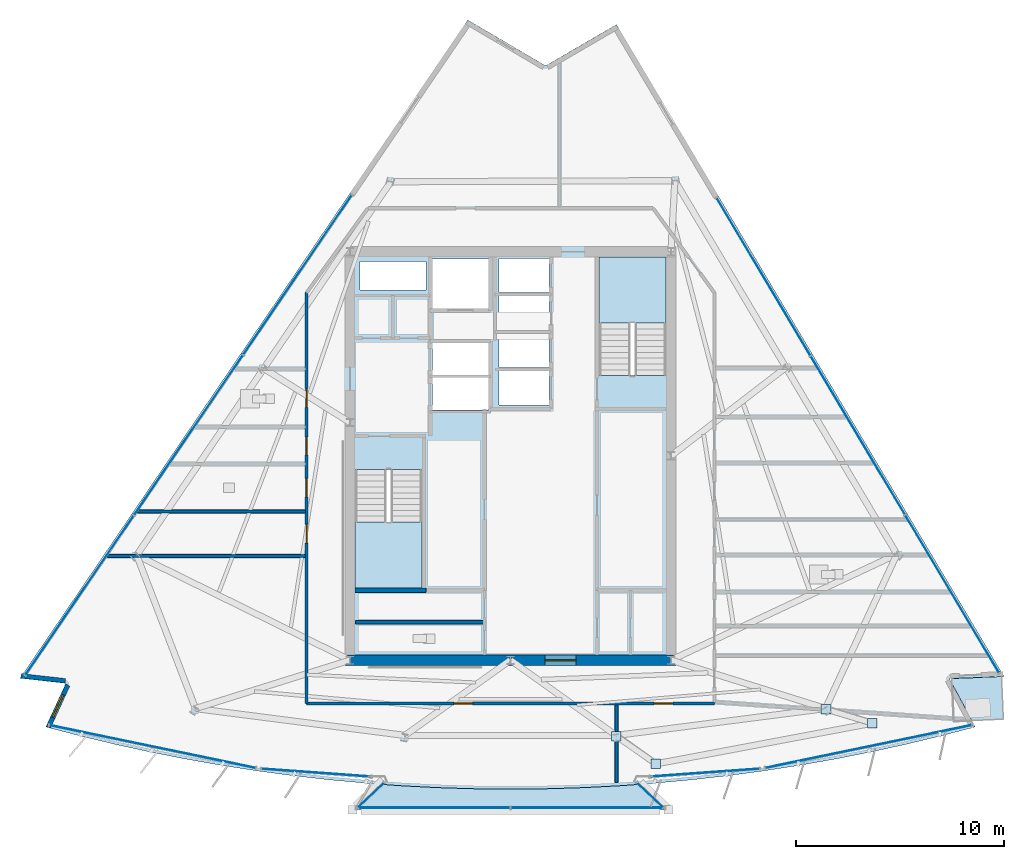
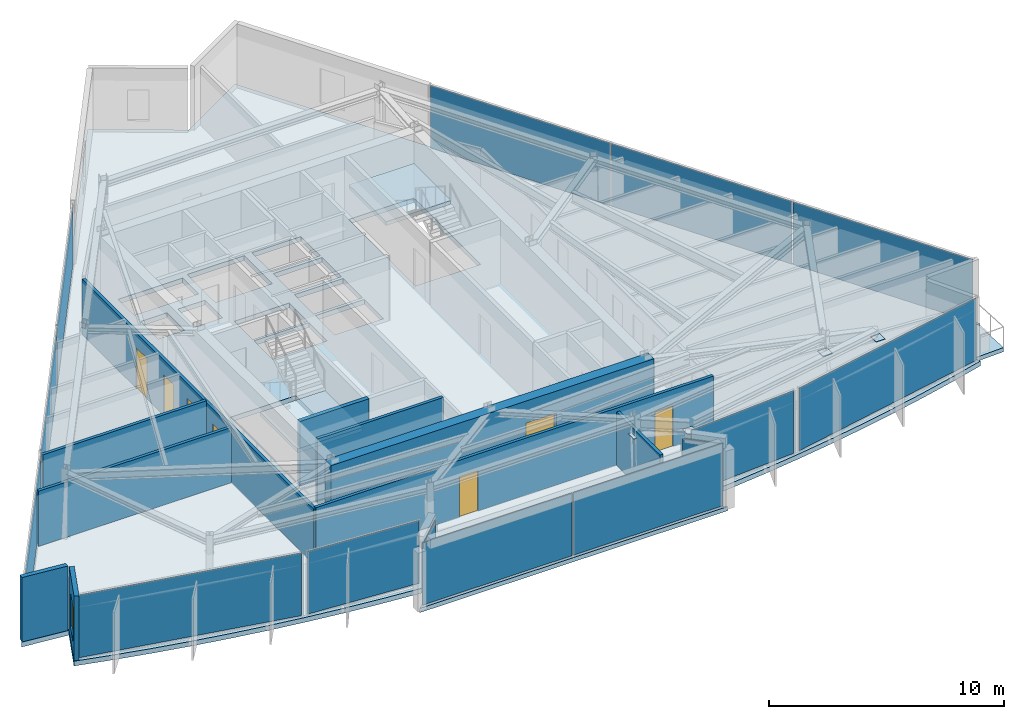
# One storey, part 6 of 13: 18 plates, 10 walls, 7 doors, 5 slabs, 1 window, 8 openings, 11 elements without a shape of their own.
"""IFC4 building model written with IfcOpenShell, lengths in metres."""

from ifc_helpers import new_model, si_unit, direction, frame, frame_2d, origin, origin_2d, place, context, subcontext, project, spatial, polyline, rectangle, outline, extrude, material, layer, layer_set, type_object, element, fill, aggregate, save


model = new_model("IFC4")

# Units and contexts
model_context = context("Model", 3, precision=1e-05, world=origin(), true_north=direction((0.0, 1.0)))
body_context = subcontext(model_context, "Body", "Model", "MODEL_VIEW")
ifc_project = project(units=[si_unit("LENGTHUNIT", "METRE"), si_unit("AREAUNIT", "SQUARE_METRE"), si_unit("VOLUMEUNIT", "CUBIC_METRE"), si_unit("PLANEANGLEUNIT", "RADIAN"), si_unit("MASSUNIT", "GRAM", prefix="KILO")], contexts=[model_context])

# Site, building, storey
site_placement = place(None, origin())
site = spatial("IfcSite", under=ifc_project, at=site_placement, CompositionType="ELEMENT")
building_placement = place(site_placement, origin())
building = spatial("IfcBuilding", under=site, at=building_placement, Name="Savorim Split Tower", CompositionType="ELEMENT")
storey_placement = place(building_placement, frame((0.0, 0.0, 286.800048828125)))
storey = spatial("IfcBuildingStorey", under=building, at=storey_placement, Name="L76", CompositionType="ELEMENT", Elevation=286.800048828125)

# Curtain wall, plate
ifc_material_1 = material(Name="Dark Ceramic-Fritted Insulated Glass", Category="glass")
curtain_wall_type_1 = type_object("IfcCurtainWallType", Name="CW-TWR-FRIT-B", PredefinedType="NOTDEFINED", material=ifc_material_1)
curtain_wall_1_placement = place(storey_placement, origin())
curtain_wall_1 = element("IfcCurtainWall", 1, at=curtain_wall_1_placement, inside=storey, type_object=curtain_wall_type_1, Name="L76 Curtain Wall CW-L76-SF1A", PredefinedType="NOTDEFINED")
ifc_layer_1 = layer(ifc_material_1, 0.02587890625)
ifc_layer_set_1 = layer_set([ifc_layer_1], Name="CWP-FRITB-26")
plate_type_1 = type_object("IfcPlateType", Name="CWP-FRITB-26", PredefinedType="CURTAIN_PANEL", material=ifc_layer_set_1)
plate_1_placement = place(storey_placement, frame((-17.175537109375, -13.545654296875, 0.050048828125), z_axis=(0.0, 0.0, 1.0), x_axis=(0.979134131762, -0.203215038861, 0.0)))
plate_1 = element("IfcPlate", 2, at=plate_1_placement, type_object=plate_type_1, Name="CW-03 panel 1.1", PredefinedType="CURTAIN_PANEL", context=body_context, shape_type="SweptSolid", body=[
    extrude(rectangle(XDim=10.08544921875, YDim=0.02587890625, at=origin_2d()), origin(), (0.0, 0.0, 1.0), 3.25),
])
aggregate(curtain_wall_1, [plate_1])

curtain_wall_2_placement = place(storey_placement, origin())
curtain_wall_2 = element("IfcCurtainWall", 3, at=curtain_wall_2_placement, inside=storey, type_object=curtain_wall_type_1, Name="L76 Curtain Wall CW-L76-SF2A", PredefinedType="NOTDEFINED")
plate_2_placement = place(storey_placement, frame((-9.3173828125, -14.80029296875, 0.050048828125), z_axis=(0.0, 0.0, 1.0), x_axis=(0.997437022598, -0.071549884359, 0.0)))
plate_2 = element("IfcPlate", 4, at=plate_2_placement, type_object=plate_type_1, Name="CW-03 panel 1.1", PredefinedType="CURTAIN_PANEL", context=body_context, shape_type="SweptSolid", body=[
    extrude(rectangle(XDim=5.25390625, YDim=0.02587890625, at=origin_2d()), origin(), (0.0, 0.0, 1.0), 3.25),
])
aggregate(curtain_wall_2, [plate_2])

curtain_wall_3_placement = place(storey_placement, origin())
curtain_wall_3 = element("IfcCurtainWall", 5, at=curtain_wall_3_placement, inside=storey, type_object=curtain_wall_type_1, Name="L76 Curtain Wall CW-L76-SF3A", PredefinedType="NOTDEFINED")
plate_3_placement = place(storey_placement, frame((9.3173828125, -14.80029296875, 0.050048828125), z_axis=(0.0, 0.0, 1.0), x_axis=(0.997437022598, 0.071549884359, 0.0)))
plate_3 = element("IfcPlate", 6, at=plate_3_placement, type_object=plate_type_1, Name="CW-03 panel 1.1", PredefinedType="CURTAIN_PANEL", context=body_context, shape_type="SweptSolid", body=[
    extrude(rectangle(XDim=5.25390625, YDim=0.02587890625, at=origin_2d()), origin(), (0.0, 0.0, 1.0), 3.25),
])
aggregate(curtain_wall_3, [plate_3])

curtain_wall_4_placement = place(storey_placement, origin())
curtain_wall_4 = element("IfcCurtainWall", 7, at=curtain_wall_4_placement, inside=storey, type_object=curtain_wall_type_1, Name="L76 Curtain Wall CW-L76-SF4A", PredefinedType="NOTDEFINED")
plate_4_placement = place(storey_placement, frame((17.175537109375, -13.545654296875, 0.050048828125), z_axis=(0.0, 0.0, 1.0), x_axis=(0.979134131762, 0.203215038861, 0.0)))
plate_4 = element("IfcPlate", 8, at=plate_4_placement, type_object=plate_type_1, Name="CW-03 panel 1.1", PredefinedType="CURTAIN_PANEL", context=body_context, shape_type="SweptSolid", body=[
    extrude(rectangle(XDim=10.08544921875, YDim=0.02587890625, at=origin_2d()), origin(), (0.0, 0.0, 1.0), 3.25),
])
aggregate(curtain_wall_4, [plate_4])

# Curtain wall, plates
curtain_wall_5_placement = place(storey_placement, origin())
curtain_wall_5 = element("IfcCurtainWall", 9, at=curtain_wall_5_placement, inside=storey, type_object=curtain_wall_type_1, Name="L76 Curtain Wall CW-L76-EAST", PredefinedType="NOTDEFINED")
plate_5_placement = place(storey_placement, frame((21.18701171875, -6.226318359375, 0.050048828125), z_axis=(0.0, 0.0, 1.0), x_axis=(-0.511091684727, 0.859526200766, 0.0)))
plate_5 = element("IfcPlate", 10, at=plate_5_placement, type_object=plate_type_1, Name="CW-03 panel 1.1", PredefinedType="CURTAIN_PANEL", context=body_context, shape_type="SweptSolid", body=[
    extrude(rectangle(XDim=8.775390625, YDim=0.02587890625, at=origin_2d()), origin(), (0.0, 0.0, 1.0), 3.25),
])
plate_6_placement = place(storey_placement, frame((16.66357421875, 1.380615234375, 0.050048828125), z_axis=(0.0, 0.0, 1.0), x_axis=(-0.511091684727, 0.859526200766, 0.0)))
plate_6 = element("IfcPlate", 11, at=plate_6_placement, type_object=plate_type_1, Name="CW-03 panel 2.1", PredefinedType="CURTAIN_PANEL", context=body_context, shape_type="SweptSolid", body=[
    extrude(rectangle(XDim=8.80517578125, YDim=0.02587890625, at=origin_2d()), origin(), (0.0, 0.0, 1.0), 3.25),
])
plate_7_placement = place(storey_placement, frame((12.140380859375, 8.98779296875, 0.050048828125), z_axis=(0.0, 0.0, 1.0), x_axis=(-0.511091684727, 0.859526200766, 0.0)))
plate_7 = element("IfcPlate", 12, at=plate_7_placement, type_object=plate_type_1, Name="CW-03 panel 3.1", PredefinedType="CURTAIN_PANEL", context=body_context, shape_type="SweptSolid", body=[
    extrude(rectangle(XDim=8.775390625, YDim=0.02587890625, at=origin_2d()), origin(), (0.0, 0.0, 1.0), 3.25),
])
aggregate(curtain_wall_5, [plate_5, plate_6, plate_7])

curtain_wall_6_placement = place(storey_placement, origin())
curtain_wall_6 = element("IfcCurtainWall", 13, at=curtain_wall_6_placement, inside=storey, type_object=curtain_wall_type_1, Name="L76 Curtain Wall CW-L76-WEST", PredefinedType="NOTDEFINED")
plate_8_placement = place(storey_placement, frame((-10.220703125, 9.082275390625, 0.050048828125), z_axis=(0.0, 0.0, 1.0), x_axis=(-0.562470084107, -0.826817636776, 0.0)))
plate_8 = element("IfcPlate", 14, at=plate_8_placement, type_object=plate_type_1, Name="CW-03 panel 1.1", PredefinedType="CURTAIN_PANEL", context=body_context, shape_type="SweptSolid", body=[
    extrude(rectangle(XDim=9.22265625, YDim=0.02587890625, at=origin_2d()), origin(), (0.0, 0.0, 1.0), 3.25),
])
plate_9_placement = place(storey_placement, frame((-15.450439453125, 1.394775390625, 0.050048828125), z_axis=(0.0, 0.0, 1.0), x_axis=(-0.562470084107, -0.826817636776, 0.0)))
plate_9 = element("IfcPlate", 15, at=plate_9_placement, type_object=plate_type_1, Name="CW-03 panel 2.1", PredefinedType="CURTAIN_PANEL", context=body_context, shape_type="SweptSolid", body=[
    extrude(rectangle(XDim=9.252685546875, YDim=0.02587890625, at=origin_2d()), origin(), (0.0, 0.0, 1.0), 3.25),
])
plate_10_placement = place(storey_placement, frame((-20.679931640625, -6.292724609375, 0.050048828125), z_axis=(0.0, 0.0, 1.0), x_axis=(-0.562470084107, -0.826817636776, 0.0)))
plate_10 = element("IfcPlate", 16, at=plate_10_placement, type_object=plate_type_1, Name="CW-03 panel 3.1", PredefinedType="CURTAIN_PANEL", context=body_context, shape_type="SweptSolid", body=[
    extrude(rectangle(XDim=9.22265625, YDim=0.02587890625, at=origin_2d()), origin(), (0.0, 0.0, 1.0), 3.25),
])
aggregate(curtain_wall_6, [plate_8, plate_9, plate_10])

curtain_wall_type_2 = type_object("IfcCurtainWallType", Name="CW-BAY-LOUNGE", PredefinedType="NOTDEFINED", material=ifc_material_1)
curtain_wall_7_placement = place(storey_placement, origin())
curtain_wall_7 = element("IfcCurtainWall", 17, at=curtain_wall_7_placement, inside=storey, type_object=curtain_wall_type_2, Name="L76 Curtain Wall CW-L76-BAYF", PredefinedType="NOTDEFINED")
ifc_material_2 = material(Name="Low-E Operable Double Glazing", Category="glass")
ifc_layer_2 = layer(ifc_material_2, 0.031982421875)
ifc_layer_set_2 = layer_set([ifc_layer_2], Name="CWP-POD-32")
plate_type_2 = type_object("IfcPlateType", Name="CWP-POD-32", PredefinedType="CURTAIN_PANEL", material=ifc_layer_set_2)
plate_11_placement = place(storey_placement, frame((-3.713134765625, -16.4794921875, 0.05517578125), z_axis=(0.0, 0.0, 1.0), x_axis=(1.0, 0.0, 0.0)))
plate_11 = element("IfcPlate", 18, at=plate_11_placement, type_object=plate_type_2, Name="CW-04 panel 1.1", PredefinedType="CURTAIN_PANEL", context=body_context, shape_type="SweptSolid", body=[
    extrude(rectangle(XDim=7.361083984375, YDim=0.031982421875, at=origin_2d()), origin(), (0.0, 0.0, 1.0), 3.239990234375),
])
plate_12_placement = place(storey_placement, frame((3.713134765625, -16.4794921875, 0.05517578125), z_axis=(0.0, 0.0, 1.0), x_axis=(1.0, 0.0, 0.0)))
plate_12 = element("IfcPlate", 19, at=plate_12_placement, type_object=plate_type_2, Name="CW-04 panel 2.1", PredefinedType="CURTAIN_PANEL", context=body_context, shape_type="SweptSolid", body=[
    extrude(rectangle(XDim=7.361083984375, YDim=0.031982421875, at=origin_2d()), origin(), (0.0, 0.0, 1.0), 3.239990234375),
])
aggregate(curtain_wall_7, [plate_11, plate_12])

# Curtain wall, plate
curtain_wall_8_placement = place(storey_placement, origin())
curtain_wall_8 = element("IfcCurtainWall", 20, at=curtain_wall_8_placement, inside=storey, type_object=curtain_wall_type_2, Name="L76 Curtain Wall CW-L76-BAYW", PredefinedType="NOTDEFINED")
plate_13_placement = place(storey_placement, frame((-6.695068359375, -15.880126953125, 0.05517578125), z_axis=(0.0, 0.0, 1.0), x_axis=(-0.725949819839, -0.68774767108, 0.0)))
plate_13 = element("IfcPlate", 21, at=plate_13_placement, type_object=plate_type_2, Name="CW-04 panel 1.1", PredefinedType="CURTAIN_PANEL", context=body_context, shape_type="SweptSolid", body=[
    extrude(rectangle(XDim=1.705078125, YDim=0.031982421875, at=origin_2d()), origin(), (0.0, 0.0, 1.0), 3.239990234375),
])
aggregate(curtain_wall_8, [plate_13])

curtain_wall_9_placement = place(storey_placement, origin())
curtain_wall_9 = element("IfcCurtainWall", 22, at=curtain_wall_9_placement, inside=storey, type_object=curtain_wall_type_2, Name="L76 Curtain Wall CW-L76-BAYE", PredefinedType="NOTDEFINED")
plate_14_placement = place(storey_placement, frame((6.695068359375, -15.880126953125, 0.05517578125), z_axis=(0.0, 0.0, 1.0), x_axis=(-0.725949819839, 0.68774767108, 0.0)))
plate_14 = element("IfcPlate", 23, at=plate_14_placement, type_object=plate_type_2, Name="CW-04 panel 1.1", PredefinedType="CURTAIN_PANEL", context=body_context, shape_type="SweptSolid", body=[
    extrude(rectangle(XDim=1.705078125, YDim=0.031982421875, at=origin_2d()), origin(), (0.0, 0.0, 1.0), 3.239990234375),
])
aggregate(curtain_wall_9, [plate_14])

# Plates
ifc_material_3 = material(Name="Steel S460", Category="steel")
ifc_layer_3 = layer(ifc_material_3, 0.02490234375)
ifc_layer_set_3 = layer_set([ifc_layer_3], Name="PLT-NODE-CN1")
plate_type_3 = type_object("IfcPlateType", Name="PLT-NODE-CN1", PredefinedType="SHEET", material=ifc_layer_set_3)
for number, where, z_axis, x_axis, name in (
    (24, (5.072509765625, -13.05224609375, 2.4375), (0.0, 0.0, 1.0), (1.0, 0.0, 0.0), "L76 Bay Strut Column Gusset Plate 1"),
    (25, (6.977783203125, -14.376220703125, 2.8076171875), (0.0, 0.0, 1.0), (1.0, 0.0, 0.0), "L76 Bay Strut Tip Gusset Plate 1"),
    (26, (15.134765625, -11.76025390625, 2.4375), (0.0, 0.0, 1.0), (1.0, 0.0, 0.0), "L76 Bay Strut Column Gusset Plate 2"),
    (27, (17.353759765625, -12.42431640625, 2.8076171875), (0.0, 0.0, 1.0), (1.0, 0.0, 0.0), "L76 Bay Strut Tip Gusset Plate 2"),
):
    element("IfcPlate", number, at=place(storey_placement, frame(where, z_axis=z_axis, x_axis=x_axis)), inside=storey, type_object=plate_type_3, Name=name, PredefinedType="SHEET", context=body_context, shape_type="SweptSolid", body=[
        extrude(rectangle(XDim=0.4599609375, YDim=0.4599609375, at=origin_2d()), origin(), (0.0, 0.0, 1.0), 0.02490234375),
    ])

# Slabs
ifc_material_4 = material(Name="Concrete C50/60", Category="concrete")
ifc_layer_4 = layer(ifc_material_4, 0.219970703125)
ifc_layer_set_4 = layer_set([ifc_layer_4], Name="SLB-BAL-220")
slab_type_1 = type_object("IfcSlabType", Name="SLB-BAL-220", PredefinedType="FLOOR", material=ifc_layer_set_4)
slab_1_placement = place(storey_placement, frame((0.0, 0.0, -0.219970703125)))
element("IfcSlab", 28, at=slab_1_placement, inside=storey, type_object=slab_type_1, Name="L76 Cantilevered Shared Kitchen Lounge Slab", PredefinedType="FLOOR", context=body_context, shape_type="SweptSolid", body=[
    extrude(outline(polyline([(6.28271484375, -15.351806640625), (5.20263671875, -15.42919921875), (3.4697265625, -15.51806640625), (1.735107421875, -15.5712890625), (0.0, -15.589111328125), (-1.735107421875, -15.5712890625), (-3.4697265625, -15.51806640625), (-5.20263671875, -15.42919921875), (-6.28271484375, -15.351806640625), (-7.57861328125, -16.57958984375), (7.57861328125, -16.57958984375), (6.28271484375, -15.351806640625)])), origin(), (0.0, 0.0, 1.0), 0.219970703125),
])
slab_2_placement = place(storey_placement, frame((0.0, 0.0, -0.219970703125)))
element("IfcSlab", 29, at=slab_2_placement, inside=storey, type_object=slab_type_1, Name="L76 Notched Corner Planted Tree Balcony Slab", PredefinedType="FLOOR", context=body_context, shape_type="SweptSolid", body=[
    extrude(outline(polyline([(23.555908203125, -10.18701171875), (21.170654296875, -10.28857421875), (21.1806640625, -10.5205078125), (22.132568359375, -12.29443359375), (23.64306640625, -12.230224609375), (23.555908203125, -10.18701171875)])), origin(), (0.0, 0.0, 1.0), 0.219970703125),
])

# Stair, slab
stair_type = type_object("IfcStairType", Name="STR-DOG-3600", PredefinedType="HALF_TURN_STAIR", material=ifc_material_4)
stair_1_placement = place(storey_placement, origin())
stair_1 = element("IfcStair", 30, at=stair_1_placement, inside=storey, type_object=stair_type, Name="L76 Core Protected Exit Stair ST-1", PredefinedType="HALF_TURN_STAIR")
ifc_layer_5 = layer(ifc_material_4, 0.199951171875)
ifc_layer_set_5 = layer_set([ifc_layer_5], Name="SLB-LND-200")
slab_type_2 = type_object("IfcSlabType", Name="SLB-LND-200", PredefinedType="LANDING", material=ifc_layer_set_5)
slab_3_placement = place(storey_placement, frame((0.0, 0.0, 1.599853515625)))
slab_3 = element("IfcSlab", 31, at=slab_3_placement, type_object=slab_type_2, Name="ST-1 landing 1", PredefinedType="LANDING", context=body_context, shape_type="SweptSolid", body=[
    extrude(outline(polyline([(-7.449951171875, -2.77001953125), (-7.449951171875, -5.949951171875), (-4.25, -5.949951171875), (-4.25, -2.77001953125), (-7.449951171875, -2.77001953125)])), origin(), (0.0, 0.0, 1.0), 0.2001953125),
])
aggregate(stair_1, [slab_3])

stair_2_placement = place(storey_placement, origin())
stair_2 = element("IfcStair", 32, at=stair_2_placement, inside=storey, type_object=stair_type, Name="L76 Core Protected Exit Stair ST-2", PredefinedType="HALF_TURN_STAIR")
slab_4_placement = place(storey_placement, frame((0.0, 0.0, 1.599853515625)))
slab_4 = element("IfcSlab", 33, at=slab_4_placement, type_object=slab_type_2, Name="ST-2 landing 1", PredefinedType="LANDING", context=body_context, shape_type="SweptSolid", body=[
    extrude(outline(polyline([(7.449951171875, 6.77001953125), (7.449951171875, 9.949951171875), (4.25, 9.949951171875), (4.25, 6.77001953125), (7.449951171875, 6.77001953125)])), origin(), (0.0, 0.0, 1.0), 0.2001953125),
])
aggregate(stair_2, [slab_4])

# Slab
ifc_layer_6 = layer(ifc_material_4, 0.25)
ifc_layer_set_6 = layer_set([ifc_layer_6], Name="SLB-TWR-250")
slab_type_3 = type_object("IfcSlabType", Name="SLB-TWR-250", PredefinedType="FLOOR", material=ifc_layer_set_6)
slab_5_placement = place(storey_placement, frame((0.0, 0.0, -0.25)))
element("IfcSlab", 34, at=slab_5_placement, inside=storey, type_object=slab_type_3, Name="L76 Structural Floor Slab", PredefinedType="FLOOR", context=body_context, shape_type="SweptSolid", body=[
    extrude(outline(polyline([(-22.2939453125, -12.60595703125), (-20.615234375, -13.045166015625), (-18.927734375, -13.44970703125), (-17.232421875, -13.819580078125), (-15.52978515625, -14.15478515625), (-13.820556640625, -14.455078125), (-12.105712890625, -14.720458984375), (-10.3857421875, -14.95068359375), (-8.66162109375, -15.1455078125), (-6.93359375, -15.30517578125), (-5.20263671875, -15.42919921875), (-3.4697265625, -15.51806640625), (-1.735107421875, -15.5712890625), (0.0, -15.589111328125), (1.735107421875, -15.5712890625), (3.4697265625, -15.51806640625), (5.20263671875, -15.42919921875), (6.93359375, -15.30517578125), (8.66162109375, -15.1455078125), (10.3857421875, -14.95068359375), (12.105712890625, -14.720458984375), (13.820556640625, -14.455078125), (15.52978515625, -14.15478515625), (17.232421875, -13.819580078125), (18.927734375, -13.44970703125), (20.615234375, -13.045166015625), (22.2939453125, -12.60595703125), (21.050537109375, -10.288818359375), (23.67578125, -10.177001953125), (5.08203125, 21.0927734375), (1.687744140625, 19.114501953125), (-2.047607421875, 21.31005859375), (-23.530517578125, -10.269287109375), (-21.333251953125, -10.514892578125), (-22.2939453125, -12.60595703125)]), holes=[polyline([(-7.449951171875, -0.25390625), (-7.449951171875, -5.949951171875), (-4.25, -5.949951171875), (-4.25, -0.25390625), (-7.449951171875, -0.25390625)]), polyline([(7.449951171875, 4.25390625), (7.449951171875, 9.949951171875), (4.25, 9.949951171875), (4.25, 4.25390625), (7.449951171875, 4.25390625)]), polyline([(-0.550048828125, 2.830078125), (1.85009765625, 2.830078125), (1.85009765625, 4.469970703125), (-0.550048828125, 4.469970703125), (-0.550048828125, 2.830078125)]), polyline([(-0.550048828125, 4.6298828125), (1.85009765625, 4.6298828125), (1.85009765625, 6.27001953125), (-0.550048828125, 6.27001953125), (-0.550048828125, 4.6298828125)]), polyline([(-0.550048828125, 6.429931640625), (1.85009765625, 6.429931640625), (1.85009765625, 8.070068359375), (-0.550048828125, 8.070068359375), (-0.550048828125, 6.429931640625)]), polyline([(-0.550048828125, 8.22998046875), (1.85009765625, 8.22998046875), (1.85009765625, 9.8701171875), (-0.550048828125, 9.8701171875), (-0.550048828125, 8.22998046875)]), polyline([(-3.75, 2.60009765625), (-1.050048828125, 2.60009765625), (-1.050048828125, 4.159912109375), (-3.75, 4.159912109375), (-3.75, 2.60009765625)]), polyline([(-3.75, 4.280029296875), (-1.050048828125, 4.280029296875), (-1.050048828125, 5.840087890625), (-3.75, 5.840087890625), (-3.75, 4.280029296875)]), polyline([(-3.75, 7.449951171875), (-0.949951171875, 7.449951171875), (-0.949951171875, 9.85009765625), (-3.75, 9.85009765625), (-3.75, 7.449951171875)]), polyline([(-7.219970703125, 6.320068359375), (-5.919921875, 6.320068359375), (-5.919921875, 7.820068359375), (-7.219970703125, 7.820068359375), (-7.219970703125, 6.320068359375)]), polyline([(-5.3798828125, 6.320068359375), (-4.050048828125, 6.320068359375), (-4.050048828125, 7.820068359375), (-5.3798828125, 7.820068359375), (-5.3798828125, 6.320068359375)]), polyline([(-7.219970703125, 8.360107421875), (-4.050048828125, 8.360107421875), (-4.050048828125, 9.719970703125), (-7.219970703125, 9.719970703125), (-7.219970703125, 8.360107421875)])]), origin(), (0.0, 0.0, 1.0), 0.25),
])

# Wall, opening, door
ifc_material_5 = material(Name="Concrete C60/75", Category="concrete")
ifc_layer_7 = layer(ifc_material_5, 0.5)
ifc_layer_set_7 = layer_set([ifc_layer_7], Name="WAL-COR-SH500")
wall_type_1 = type_object("IfcWallType", Name="WAL-COR-SH500", PredefinedType="SHEAR", material=ifc_layer_set_7)
wall_1_placement = place(storey_placement, frame((-7.949951171875, -9.39990234375, 0.0), z_axis=(0.0, 0.0, 1.0), x_axis=(1.0, 0.0, 0.0)))
wall_1 = element("IfcWall", 35, at=wall_1_placement, inside=storey, type_object=wall_type_1, Name="L76 Offset Core South Shear Wall", PredefinedType="SHEAR", context=body_context, shape_type="SweptSolid", body=[
    extrude(rectangle(XDim=15.89990234375, YDim=0.5, at=frame_2d((7.949951171875, 0.0))), origin(), (0.0, 0.0, 1.0), 3.349853515625),
])
opening_1_placement = place(wall_1_placement, frame((9.60009765625, 0.0, 0.0)))
opening_1 = element("IfcOpeningElement", 36, at=opening_1_placement, cuts=wall_1, Name="Opening DI-02", PredefinedType="OPENING", context=body_context, shape_type="SweptSolid", body=[
    extrude(rectangle(XDim=1.5, YDim=2.199951171875, at=frame_2d((0.75, 1.10009765625))), frame((0.0, 0.260009765625, 0.0), z_axis=(0.0, -1.0, 0.0), x_axis=(1.0, 0.0, 0.0)), (0.0, 0.0, 1.0), 0.52001953125),
])
ifc_material_6 = material(Name="Timber Fire Door Leaf", Category="wood")
door_type_1 = type_object("IfcDoorType", Name="DOR-DBL-1500", OperationType="NOTDEFINED", PredefinedType="DOOR", material=ifc_material_6)
door_1_placement = place(opening_1_placement, origin())
door_1 = element("IfcDoor", 37, at=door_1_placement, inside=storey, type_object=door_type_1, Name="DOR-L76-COR-LLOB - L76 Lift Lobby Main Rated Door", OperationType="DOUBLE_DOOR_SINGLE_SWING", OverallHeight=2.199951171875, OverallWidth=1.5, PredefinedType="DOOR", context=body_context, shape_type="SweptSolid", body=[
    extrude(rectangle(XDim=1.5, YDim=2.199951171875, at=frame_2d((0.75, 1.10009765625))), frame((0.0, 0.02490234375, 0.0), z_axis=(0.0, -1.0, 0.0), x_axis=(1.0, 0.0, 0.0)), (0.0, 0.0, 1.0), 0.050048828125),
])
fill(opening_1, door_1)

# Wall
ifc_material_7 = material(Name="Precast concrete C40/50", Category="concrete")
ifc_layer_8 = layer(ifc_material_7, 0.219970703125)
ifc_layer_set_8 = layer_set([ifc_layer_8], Name="WAL-EXT-CRN220")
wall_type_2 = type_object("IfcWallType", Name="WAL-EXT-CRN220", PredefinedType="SOLIDWALL", material=ifc_layer_set_8)
wall_2_placement = place(storey_placement, frame((-21.359619140625, -10.39111328125, 0.0), z_axis=(0.0, 0.0, 1.0), x_axis=(-0.993817888275, 0.111022542511, 0.0)))
element("IfcWall", 38, at=wall_2_placement, inside=storey, type_object=wall_type_2, Name="L76 Notched Corner Facade Wall SW1", PredefinedType="SOLIDWALL", context=body_context, shape_type="SweptSolid", body=[
    extrude(rectangle(XDim=2.130859375, YDim=0.219970703125, at=frame_2d((1.0654296875, 0.0))), origin(), (0.0, 0.0, 1.0), 3.349853515625),
])

# Wall, opening, window
wall_3_placement = place(storey_placement, frame((-22.168212890625, -12.619873046875, 0.0), z_axis=(0.0, 0.0, 1.0), x_axis=(0.417426589535, 0.908710648308, 0.0)))
wall_3 = element("IfcWall", 39, at=wall_3_placement, inside=storey, type_object=wall_type_2, Name="L76 Notched Corner Facade Wall SW", PredefinedType="SOLIDWALL", context=body_context, shape_type="SweptSolid", body=[
    extrude(rectangle(XDim=2.221435546875, YDim=0.219970703125, at=frame_2d((1.11083984375, 0.0))), origin(), (0.0, 0.0, 1.0), 3.349853515625),
])
opening_2_placement = place(wall_3_placement, frame((0.5107421875, 0.0, 0.6201171875)))
opening_2 = element("IfcOpeningElement", 40, at=opening_2_placement, cuts=wall_3, Name="Opening WN-08", PredefinedType="OPENING", context=body_context, shape_type="SweptSolid", body=[
    extrude(rectangle(XDim=1.199951171875, YDim=1.800048828125, at=frame_2d((0.60009765625, 0.89990234375))), frame((0.0, 0.119873046875, 0.0), z_axis=(0.0, -1.0, 0.0), x_axis=(1.0, 0.0, 0.0)), (0.0, 0.0, 1.0), 0.239990234375),
])
window_type = type_object("IfcWindowType", Name="WIN-TWR-1200x1800", PartitioningType="SINGLE_PANEL", PredefinedType="WINDOW", material=ifc_material_2)
window_placement = place(opening_2_placement, origin())
window = element("IfcWindow", 41, at=window_placement, inside=storey, type_object=window_type, Name="L76 Operable Corner Window SW", OverallHeight=1.800048828125, OverallWidth=1.199951171875, PartitioningType="SINGLE_PANEL", PredefinedType="WINDOW", context=body_context, shape_type="SweptSolid", body=[
    extrude(rectangle(XDim=1.199951171875, YDim=1.800048828125, at=frame_2d((0.60009765625, 0.89990234375))), frame((0.0, 0.030029296875, 0.0), z_axis=(0.0, -1.0, 0.0), x_axis=(1.0, 0.0, 0.0)), (0.0, 0.0, 1.0), 0.06005859375),
])
fill(opening_2, window)

# Walls
ifc_layer_9 = layer(ifc_material_4, 0.199951171875)
ifc_layer_set_9 = layer_set([ifc_layer_9], Name="WAL-INT-RC200")
wall_type_3 = type_object("IfcWallType", Name="WAL-INT-RC200", PredefinedType="SOLIDWALL", material=ifc_layer_set_9)
wall_4_placement = place(storey_placement, frame((-7.449951171875, -6.050048828125, 0.0), z_axis=(0.0, 0.0, 1.0), x_axis=(1.0, 0.0, 0.0)))
element("IfcWall", 42, at=wall_4_placement, inside=storey, type_object=wall_type_3, Name="L76 Structural Shaft Wall W-L76-KSEP-W", PredefinedType="SOLIDWALL", context=body_context, shape_type="SweptSolid", body=[
    extrude(rectangle(XDim=3.39990234375, YDim=0.199951171875, at=frame_2d((1.699951171875, 0.0))), origin(), (0.0, 0.0, 1.0), 3.349853515625),
])
ifc_material_8 = material(Name="Acoustic Gypsum Partition Board")
ifc_layer_10 = layer(ifc_material_8, 0.14990234375)
ifc_layer_set_10 = layer_set([ifc_layer_10], Name="WAL-PAR-150")
wall_type_4 = type_object("IfcWallType", Name="WAL-PAR-150", PredefinedType="PARTITIONING", material=ifc_layer_set_10)
wall_5_placement = place(storey_placement, frame((-7.445068359375, -7.580078125, 0.0), z_axis=(0.0, 0.0, 1.0), x_axis=(1.0, 0.0, 0.0)))
element("IfcWall", 43, at=wall_5_placement, inside=storey, type_object=wall_type_4, Name="L76 Partition W-L76-K2H", PredefinedType="PARTITIONING", context=body_context, shape_type="SweptSolid", body=[
    extrude(rectangle(XDim=6.195068359375, YDim=0.14990234375, at=frame_2d((3.09765625, 0.0))), origin(), (0.0, 0.0, 1.0), 3.349853515625),
])

# Wall, openings, doors
wall_6_placement = place(storey_placement, frame((-9.780029296875, -11.47998046875, 0.0), z_axis=(0.0, 0.0, 1.0), x_axis=(0.0, 1.0, 0.0)))
wall_6 = element("IfcWall", 44, at=wall_6_placement, inside=storey, type_object=wall_type_4, Name="L76 Partition W-L76-COR-01", PredefinedType="PARTITIONING", context=body_context, shape_type="SweptSolid", body=[
    extrude(rectangle(XDim=19.705810546875, YDim=0.14990234375, at=frame_2d((9.85302734375, 0.0))), origin(), (0.0, 0.0, 1.0), 2.875),
])
opening_3_placement = place(wall_6_placement, frame((9.901123046875, 0.0, 0.0)))
opening_3 = element("IfcOpeningElement", 45, at=opening_3_placement, cuts=wall_6, Name="Opening DI-06", PredefinedType="OPENING", context=body_context, shape_type="SweptSolid", body=[
    extrude(rectangle(XDim=0.89990234375, YDim=2.10009765625, at=frame_2d((0.449951171875, 1.050048828125))), frame((0.0, 0.0849609375, 0.0), z_axis=(0.0, -1.0, 0.0), x_axis=(1.0, 0.0, 0.0)), (0.0, 0.0, 1.0), 0.169921875),
])
opening_4_placement = place(wall_6_placement, frame((7.6923828125, 0.0, 0.0)))
opening_4 = element("IfcOpeningElement", 46, at=opening_4_placement, cuts=wall_6, Name="Opening DI-06", PredefinedType="OPENING", context=body_context, shape_type="SweptSolid", body=[
    extrude(rectangle(XDim=0.89990234375, YDim=2.10009765625, at=frame_2d((0.449951171875, 1.050048828125))), frame((0.0, 0.0849609375, 0.0), z_axis=(0.0, -1.0, 0.0), x_axis=(1.0, 0.0, 0.0)), (0.0, 0.0, 1.0), 0.169921875),
])
opening_5_placement = place(wall_6_placement, frame((14.20751953125, 0.0, 0.0)))
opening_5 = element("IfcOpeningElement", 47, at=opening_5_placement, cuts=wall_6, Name="Opening DI-11", PredefinedType="OPENING", context=body_context, shape_type="SweptSolid", body=[
    extrude(rectangle(XDim=0.89990234375, YDim=2.10009765625, at=frame_2d((0.449951171875, 1.050048828125))), frame((0.0, 0.0849609375, 0.0), z_axis=(0.0, -1.0, 0.0), x_axis=(1.0, 0.0, 0.0)), (0.0, 0.0, 1.0), 0.169921875),
])
opening_6_placement = place(wall_6_placement, frame((11.92578125, 0.0, 0.0)))
opening_6 = element("IfcOpeningElement", 48, at=opening_6_placement, cuts=wall_6, Name="Opening DI-13", PredefinedType="OPENING", context=body_context, shape_type="SweptSolid", body=[
    extrude(rectangle(XDim=0.85009765625, YDim=2.10009765625, at=frame_2d((0.425048828125, 1.050048828125))), frame((0.0, 0.0849609375, 0.0), z_axis=(0.0, -1.0, 0.0), x_axis=(1.0, 0.0, 0.0)), (0.0, 0.0, 1.0), 0.169921875),
])
door_type_2 = type_object("IfcDoorType", Name="DOR-FIR-850", OperationType="NOTDEFINED", PredefinedType="DOOR", material=ifc_material_6)
door_2_placement = place(opening_6_placement, origin())
door_2 = element("IfcDoor", 49, at=door_2_placement, inside=storey, type_object=door_type_2, Name="DR-L76-RM16 - L76 Co-Living Bedroom Entry Door", OperationType="SINGLE_SWING_LEFT", OverallHeight=2.10009765625, OverallWidth=0.85009765625, PredefinedType="DOOR", context=body_context, shape_type="SweptSolid", body=[
    extrude(rectangle(XDim=0.85009765625, YDim=2.10009765625, at=frame_2d((0.425048828125, 1.050048828125))), frame((0.0, 0.02490234375, 0.0), z_axis=(0.0, -1.0, 0.0), x_axis=(1.0, 0.0, 0.0)), (0.0, 0.0, 1.0), 0.050048828125),
])
fill(opening_6, door_2)
door_type_3 = type_object("IfcDoorType", Name="DOR-FIR-900", OperationType="NOTDEFINED", PredefinedType="DOOR", material=ifc_material_6)
door_3_placement = place(opening_3_placement, origin())
door_3 = element("IfcDoor", 50, at=door_3_placement, inside=storey, type_object=door_type_3, Name="DR-L76-RM01 - L76 Shared Kitchen Entry Door", OperationType="SINGLE_SWING_RIGHT", OverallHeight=2.10009765625, OverallWidth=0.89990234375, PredefinedType="DOOR", context=body_context, shape_type="SweptSolid", body=[
    extrude(rectangle(XDim=0.89990234375, YDim=2.10009765625, at=frame_2d((0.449951171875, 1.050048828125))), frame((0.0, 0.02490234375, 0.0), z_axis=(0.0, -1.0, 0.0), x_axis=(1.0, 0.0, 0.0)), (0.0, 0.0, 1.0), 0.050048828125),
])
fill(opening_3, door_3)
door_4_placement = place(opening_4_placement, origin())
door_4 = element("IfcDoor", 51, at=door_4_placement, inside=storey, type_object=door_type_3, Name="DR-L76-RM02 - L76 Maker Workshop Entry Door", OperationType="SINGLE_SWING_LEFT", OverallHeight=2.10009765625, OverallWidth=0.89990234375, PredefinedType="DOOR", context=body_context, shape_type="SweptSolid", body=[
    extrude(rectangle(XDim=0.89990234375, YDim=2.10009765625, at=frame_2d((0.449951171875, 1.050048828125))), frame((0.0, 0.02490234375, 0.0), z_axis=(0.0, -1.0, 0.0), x_axis=(1.0, 0.0, 0.0)), (0.0, 0.0, 1.0), 0.050048828125),
])
fill(opening_4, door_4)
ifc_material_9 = material(Name="Oak Veneer Acoustic Door")
door_type_4 = type_object("IfcDoorType", Name="DOR-WC-900", OperationType="NOTDEFINED", PredefinedType="DOOR", material=ifc_material_9)
door_5_placement = place(opening_5_placement, origin())
door_5 = element("IfcDoor", 52, at=door_5_placement, inside=storey, type_object=door_type_4, Name="DR-L76-RM15 - L76 Shared Bathroom Entry Door", OperationType="SINGLE_SWING_RIGHT", OverallHeight=2.10009765625, OverallWidth=0.89990234375, PredefinedType="DOOR", context=body_context, shape_type="SweptSolid", body=[
    extrude(rectangle(XDim=0.89990234375, YDim=2.10009765625, at=frame_2d((0.449951171875, 1.050048828125))), frame((0.0, 0.02490234375, 0.0), z_axis=(0.0, -1.0, 0.0), x_axis=(1.0, 0.0, 0.0)), (0.0, 0.0, 1.0), 0.050048828125),
])
fill(opening_5, door_5)

wall_7_placement = place(storey_placement, frame((9.780029296875, -11.47998046875, 0.0), z_axis=(0.0, 0.0, 1.0), x_axis=(-1.0, 0.0, 0.0)))
wall_7 = element("IfcWall", 53, at=wall_7_placement, inside=storey, type_object=wall_type_4, Name="L76 Partition W-L76-COR-06", PredefinedType="PARTITIONING", context=body_context, shape_type="SweptSolid", body=[
    extrude(rectangle(XDim=19.56005859375, YDim=0.14990234375, at=frame_2d((9.780029296875, 0.0))), origin(), (0.0, 0.0, 1.0), 2.96484375),
])
opening_7_placement = place(wall_7_placement, frame((11.59228515625, 0.0, 0.0)))
opening_7 = element("IfcOpeningElement", 54, at=opening_7_placement, cuts=wall_7, Name="Opening DI-06", PredefinedType="OPENING", context=body_context, shape_type="SweptSolid", body=[
    extrude(rectangle(XDim=0.89990234375, YDim=2.10009765625, at=frame_2d((0.449951171875, 1.050048828125))), frame((0.0, 0.0849609375, 0.0), z_axis=(0.0, -1.0, 0.0), x_axis=(1.0, 0.0, 0.0)), (0.0, 0.0, 1.0), 0.169921875),
])
opening_8_placement = place(wall_7_placement, frame((1.99072265625, 0.0, 0.0)))
opening_8 = element("IfcOpeningElement", 55, at=opening_8_placement, cuts=wall_7, Name="Opening DI-06", PredefinedType="OPENING", context=body_context, shape_type="SweptSolid", body=[
    extrude(rectangle(XDim=0.89990234375, YDim=2.10009765625, at=frame_2d((0.449951171875, 1.050048828125))), frame((0.0, 0.0849609375, 0.0), z_axis=(0.0, -1.0, 0.0), x_axis=(1.0, 0.0, 0.0)), (0.0, 0.0, 1.0), 0.169921875),
])
door_6_placement = place(opening_7_placement, origin())
door_6 = element("IfcDoor", 56, at=door_6_placement, inside=storey, type_object=door_type_3, Name="DR-L76-RM03 - L76 Maker Workshop Entry Door", OperationType="SINGLE_SWING_RIGHT", OverallHeight=2.10009765625, OverallWidth=0.89990234375, PredefinedType="DOOR", context=body_context, shape_type="SweptSolid", body=[
    extrude(rectangle(XDim=0.89990234375, YDim=2.10009765625, at=frame_2d((0.449951171875, 1.050048828125))), frame((0.0, 0.02490234375, 0.0), z_axis=(0.0, -1.0, 0.0), x_axis=(1.0, 0.0, 0.0)), (0.0, 0.0, 1.0), 0.050048828125),
])
fill(opening_7, door_6)
door_7_placement = place(opening_8_placement, origin())
door_7 = element("IfcDoor", 57, at=door_7_placement, inside=storey, type_object=door_type_3, Name="DR-L76-RM04 - L76 Maker Workshop Entry Door", OperationType="SINGLE_SWING_LEFT", OverallHeight=2.10009765625, OverallWidth=0.89990234375, PredefinedType="DOOR", context=body_context, shape_type="SweptSolid", body=[
    extrude(rectangle(XDim=0.89990234375, YDim=2.10009765625, at=frame_2d((0.449951171875, 1.050048828125))), frame((0.0, 0.02490234375, 0.0), z_axis=(0.0, -1.0, 0.0), x_axis=(1.0, 0.0, 0.0)), (0.0, 0.0, 1.0), 0.050048828125),
])
fill(opening_8, door_7)

# Walls
wall_8_placement = place(storey_placement, frame((5.076904296875, -11.5400390625, 0.0), z_axis=(0.0, 0.0, 1.0), x_axis=(0.0, -1.0, 0.0)))
element("IfcWall", 58, at=wall_8_placement, inside=storey, type_object=wall_type_4, Name="L76 Partition W-L76-PRAD03", PredefinedType="PARTITIONING", context=body_context, shape_type="SweptSolid", body=[
    extrude(rectangle(XDim=3.725341796875, YDim=0.14990234375, at=frame_2d((1.86279296875, 0.0))), origin(), (0.0, 0.0, 1.0), 2.77490234375),
])
wall_9_placement = place(storey_placement, frame((-9.840087890625, -4.4052734375, 0.0), z_axis=(0.0, 0.0, 1.0), x_axis=(-1.0, 0.0, 0.0)))
element("IfcWall", 59, at=wall_9_placement, inside=storey, type_object=wall_type_4, Name="L76 Partition W-L76-PRAD10", PredefinedType="PARTITIONING", context=body_context, shape_type="SweptSolid", body=[
    extrude(rectangle(XDim=9.49560546875, YDim=0.14990234375, at=frame_2d((4.747802734375, 0.0))), origin(), (0.0, 0.0, 1.0), 2.875),
])
wall_10_placement = place(storey_placement, frame((-9.840087890625, -2.269775390625, 0.0), z_axis=(0.0, 0.0, 1.0), x_axis=(-1.0, 0.0, 0.0)))
element("IfcWall", 60, at=wall_10_placement, inside=storey, type_object=wall_type_4, Name="L76 Partition W-L76-SUB04", PredefinedType="PARTITIONING", context=body_context, shape_type="SweptSolid", body=[
    extrude(rectangle(XDim=8.042724609375, YDim=0.14990234375, at=frame_2d((4.021484375, 0.0))), origin(), (0.0, 0.0, 1.0), 2.96484375),
])

save(model, "model.ifc")
